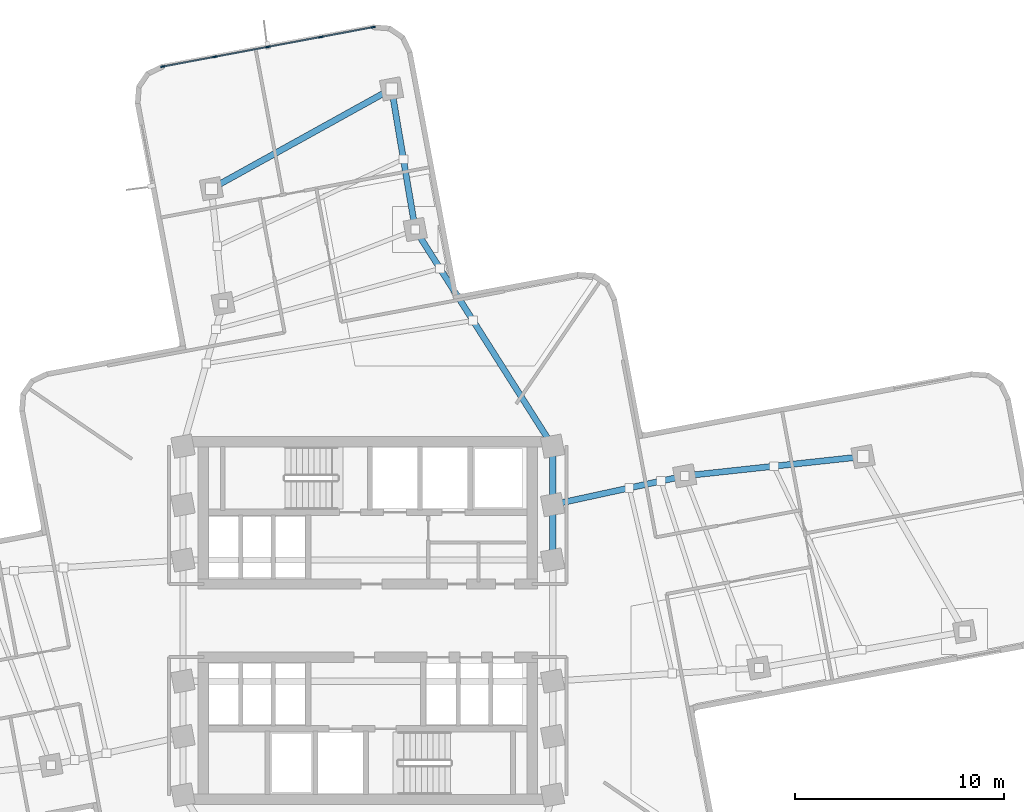
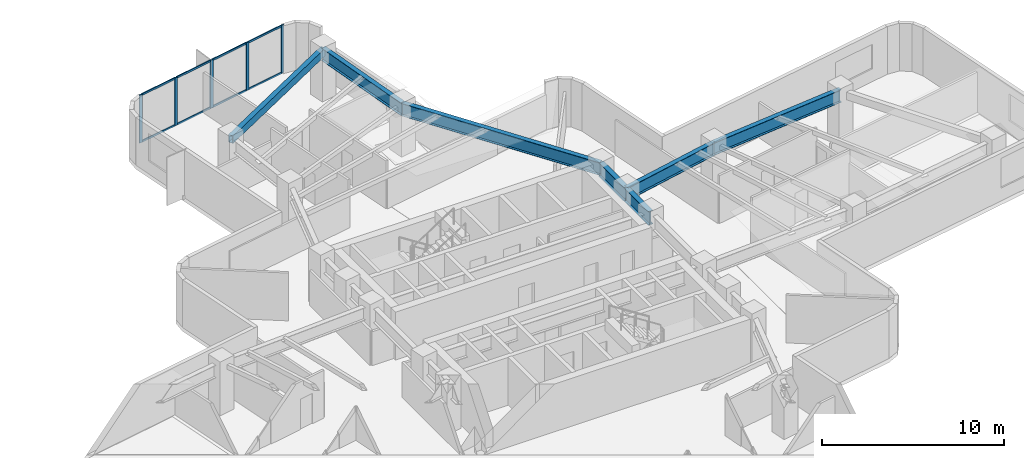
# One storey, part 4 of 12: 13 members, 7 beams, 1 element without a shape of its own.
"""IFC4 building model written with IfcOpenShell, lengths in metres."""

from ifc_helpers import new_model, si_unit, direction, frame, origin, origin_2d, place, context, subcontext, project, spatial, rectangle, hollow_rectangle, i_section, extrude, material, layer, layer_set, material_profile, profile_set, type_object, element, aggregate, save


model = new_model("IFC4")

# Units and contexts
model_context = context("Model", 3, precision=1e-05, world=origin(), true_north=direction((0.0, 1.0)))
body_context = subcontext(model_context, "Body", "Model", "MODEL_VIEW")
ifc_project = project(units=[si_unit("LENGTHUNIT", "METRE"), si_unit("AREAUNIT", "SQUARE_METRE"), si_unit("VOLUMEUNIT", "CUBIC_METRE"), si_unit("PLANEANGLEUNIT", "RADIAN"), si_unit("MASSUNIT", "GRAM", prefix="KILO")], contexts=[model_context])

# Site, building, storey
site_placement = place(None, origin())
site = spatial("IfcSite", under=ifc_project, at=site_placement, CompositionType="ELEMENT")
building_placement = place(site_placement, origin())
building = spatial("IfcBuilding", under=site, at=building_placement, Name="Solmarez Civic Tower", CompositionType="ELEMENT")
storey_placement = place(building_placement, frame((0.0, 0.0, 103.679931640625)))
storey = spatial("IfcBuildingStorey", under=building, at=storey_placement, Name="L27", CompositionType="ELEMENT", Elevation=103.679931640625)

# Beams
ifc_material_1 = material(Name="Steel S355", Category="steel")
ifc_material_profile_1 = material_profile(ifc_material_1, i_section(OverallWidth=0.2919921875, OverallDepth=0.845947265625, WebThickness=0.015380859375, FlangeThickness=0.0244140625, at=origin_2d()), Name="W33X141")
ifc_profile_set_1 = profile_set([ifc_material_profile_1], Name="Steel S355")
beam_type_1 = type_object("IfcBeamType", Name="BM-PR-W33X141", PredefinedType="BEAM", material=ifc_profile_set_1)
beam_1_placement = place(storey_placement, frame((8.85009765625, 5.550048828125, 2.777099609375), z_axis=(0.977113347202, 0.212719314402, 0.0), x_axis=(-0.212719314402, 0.977113347202, 0.0)))
element("IfcBeam", 1, at=beam_1_placement, inside=storey, type_object=beam_type_1, Name="L27 Primary Floor Beam BM-L27-EA-R1B", PredefinedType="BEAM", context=body_context, shape_type="SweptSolid", body=[
    extrude(i_section(OverallWidth=0.2919921875, OverallDepth=0.845947265625, WebThickness=0.015380859375, FlangeThickness=0.0244140625, at=origin_2d()), origin(), (0.0, 0.0, 1.0), 6.47314453125),
])
beam_2_placement = place(storey_placement, frame((15.175048828125, 6.927001953125, 2.777099609375), z_axis=(0.994196782435, 0.107576753045, 0.0), x_axis=(-0.107576753045, 0.994196782435, 0.0)))
element("IfcBeam", 2, at=beam_2_placement, inside=storey, type_object=beam_type_1, Name="L27 Primary Floor Beam BM-L27-EA-R2B", PredefinedType="BEAM", context=body_context, shape_type="SweptSolid", body=[
    extrude(i_section(OverallWidth=0.2919921875, OverallDepth=0.845947265625, WebThickness=0.015380859375, FlangeThickness=0.0244140625, at=origin_2d()), origin(), (0.0, 0.0, 1.0), 8.58984375),
])
beam_3_placement = place(storey_placement, frame((8.85009765625, 8.35009765625, 2.777099609375), z_axis=(-0.535568299099, 0.84449191648, 0.0), x_axis=(-0.84449191648, -0.535568299099, 0.0)))
element("IfcBeam", 3, at=beam_3_placement, inside=storey, type_object=beam_type_1, Name="L27 Primary Floor Beam BM-L27-NA-R1A", PredefinedType="BEAM", context=body_context, shape_type="SweptSolid", body=[
    extrude(i_section(OverallWidth=0.2919921875, OverallDepth=0.845947265625, WebThickness=0.015380859375, FlangeThickness=0.0244140625, at=origin_2d()), origin(), (0.0, 0.0, 1.0), 12.284423828125),
])
beam_4_placement = place(storey_placement, frame((2.27099609375, 18.72412109375, 2.777099609375), z_axis=(-0.165813708215, 0.986157094062, 0.0), x_axis=(-0.986157094062, -0.165813708215, 0.0)))
element("IfcBeam", 4, at=beam_4_placement, inside=storey, type_object=beam_type_1, Name="L27 Primary Floor Beam BM-L27-NA-R2A", PredefinedType="BEAM", context=body_context, shape_type="SweptSolid", body=[
    extrude(i_section(OverallWidth=0.2919921875, OverallDepth=0.845947265625, WebThickness=0.015380859375, FlangeThickness=0.0244140625, at=origin_2d()), origin(), (0.0, 0.0, 1.0), 6.827392578125),
])
ifc_material_profile_2 = material_profile(ifc_material_1, i_section(OverallWidth=0.306884765625, OverallDepth=0.927001953125, WebThickness=0.019287109375, FlangeThickness=0.031982421875, at=origin_2d()), Name="W36X194")
ifc_profile_set_2 = profile_set([ifc_material_profile_2], Name="Steel S355")
beam_type_2 = type_object("IfcBeamType", Name="BM-PR-W36X194", PredefinedType="BEAM", material=ifc_profile_set_2)
beam_5_placement = place(storey_placement, frame((8.85009765625, 2.89990234375, 2.736083984375), z_axis=(0.0, 1.0, 0.0), x_axis=(-1.0, 0.0, 0.0)))
element("IfcBeam", 5, at=beam_5_placement, inside=storey, type_object=beam_type_2, Name="L27 Primary Floor Beam BM-L27-HC7-HC8", PredefinedType="BEAM", context=body_context, shape_type="SweptSolid", body=[
    extrude(i_section(OverallWidth=0.306884765625, OverallDepth=0.927001953125, WebThickness=0.019287109375, FlangeThickness=0.031982421875, at=origin_2d()), origin(), (0.0, 0.0, 1.0), 2.650146484375),
])
beam_6_placement = place(storey_placement, frame((8.85009765625, 5.550048828125, 2.736083984375), z_axis=(0.0, 1.0, 0.0), x_axis=(-1.0, 0.0, 0.0)))
element("IfcBeam", 6, at=beam_6_placement, inside=storey, type_object=beam_type_2, Name="L27 Primary Floor Beam BM-L27-HC8-HC11", PredefinedType="BEAM", context=body_context, shape_type="SweptSolid", body=[
    extrude(i_section(OverallWidth=0.306884765625, OverallDepth=0.927001953125, WebThickness=0.019287109375, FlangeThickness=0.031982421875, at=origin_2d()), origin(), (0.0, 0.0, 1.0), 2.800048828125),
])
ifc_material_profile_3 = material_profile(ifc_material_1, hollow_rectangle(XDim=0.300048828125, YDim=0.5, WallThickness=0.02001953125, at=origin_2d()), Name="HSS500X300X20")
ifc_profile_set_3 = profile_set([ifc_material_profile_3], Name="Steel S355")
beam_type_3 = type_object("IfcBeamType", Name="BM-SP-HSS500X300", PredefinedType="SPANDREL", material=ifc_profile_set_3)
beam_7_placement = place(storey_placement, frame((1.138916015625, 25.45703125, 2.949951171875), z_axis=(-0.874811531682, -0.484463398035, 0.0), x_axis=(0.484463398035, -0.874811531682, 0.0)))
element("IfcBeam", 7, at=beam_7_placement, inside=storey, type_object=beam_type_3, Name="L27 Perimeter Spandrel Beam BM-L27-NA-T2", PredefinedType="SPANDREL", context=body_context, shape_type="SweptSolid", body=[
    extrude(hollow_rectangle(XDim=0.300048828125, YDim=0.5, WallThickness=0.02001953125, at=origin_2d()), origin(), (0.0, 0.0, 1.0), 9.862548828125),
])

# Curtain wall, members
ifc_material_2 = material(Name="Bronze Anodised Aluminium EN AW-6063 T6", Category="aluminium")
ifc_layer = layer(ifc_material_2, 0.2099609375)
ifc_layer_set = layer_set([ifc_layer], Name="Bronze Anodised Aluminium EN AW-6063 T6")
curtain_wall_type = type_object("IfcCurtainWallType", Name="CW-SYS-5", PredefinedType="NOTDEFINED", material=ifc_layer_set)
curtain_wall_placement = place(storey_placement, origin())
curtain_wall = element("IfcCurtainWall", 8, at=curtain_wall_placement, inside=storey, type_object=curtain_wall_type, Name="L27 Stick-Built Curtain Wall 2", PredefinedType="NOTDEFINED")
ifc_material_profile_4 = material_profile(ifc_material_2, rectangle(XDim=0.074951171875, YDim=0.199951171875, at=origin_2d()), Name="CWM-75X200")
ifc_profile_set_4 = profile_set([ifc_material_profile_4], Name="Bronze Anodised Aluminium EN AW-6063 T6")
member_type_1 = type_object("IfcMemberType", Name="CWM-TYPE-1", PredefinedType="MULLION", material=ifc_profile_set_4)
member_1_placement = place(storey_placement, frame((-9.819091796875, 26.52587890625, 0.0), z_axis=(0.0, 0.0, 1.0), x_axis=(-0.184025235598, 0.982921519076, 0.0)))
member_1 = element("IfcMember", 9, at=member_1_placement, type_object=member_type_1, Name="CWS5 mullion 1", PredefinedType="MULLION", context=body_context, shape_type="SweptSolid", body=[
    extrude(rectangle(XDim=0.074951171875, YDim=0.199951171875, at=origin_2d()), origin(), (0.0, 0.0, 1.0), 3.199951171875),
])
member_2_placement = place(storey_placement, frame((-7.3203125, 26.99365234375, 0.0), z_axis=(0.0, 0.0, 1.0), x_axis=(-0.184025235598, 0.982921519076, 0.0)))
member_2 = element("IfcMember", 10, at=member_2_placement, type_object=member_type_1, Name="CWS5 mullion 2", PredefinedType="MULLION", context=body_context, shape_type="SweptSolid", body=[
    extrude(rectangle(XDim=0.074951171875, YDim=0.199951171875, at=origin_2d()), origin(), (0.0, 0.0, 1.0), 3.199951171875),
])
member_3_placement = place(storey_placement, frame((-4.784423828125, 27.468505859375, 0.0), z_axis=(0.0, 0.0, 1.0), x_axis=(-0.184025235598, 0.982921519076, 0.0)))
member_3 = element("IfcMember", 11, at=member_3_placement, type_object=member_type_1, Name="CWS5 mullion 3", PredefinedType="MULLION", context=body_context, shape_type="SweptSolid", body=[
    extrude(rectangle(XDim=0.074951171875, YDim=0.199951171875, at=origin_2d()), origin(), (0.0, 0.0, 1.0), 3.199951171875),
])
member_4_placement = place(storey_placement, frame((-2.248779296875, 27.943359375, 0.0), z_axis=(0.0, 0.0, 1.0), x_axis=(-0.184025235598, 0.982921519076, 0.0)))
member_4 = element("IfcMember", 12, at=member_4_placement, type_object=member_type_1, Name="CWS5 mullion 4", PredefinedType="MULLION", context=body_context, shape_type="SweptSolid", body=[
    extrude(rectangle(XDim=0.074951171875, YDim=0.199951171875, at=origin_2d()), origin(), (0.0, 0.0, 1.0), 3.199951171875),
])
member_5_placement = place(storey_placement, frame((0.250244140625, 28.4111328125, 0.0), z_axis=(0.0, 0.0, 1.0), x_axis=(-0.184025235598, 0.982921519076, 0.0)))
member_5 = element("IfcMember", 13, at=member_5_placement, type_object=member_type_1, Name="CWS5 mullion 5", PredefinedType="MULLION", context=body_context, shape_type="SweptSolid", body=[
    extrude(rectangle(XDim=0.074951171875, YDim=0.199951171875, at=origin_2d()), origin(), (0.0, 0.0, 1.0), 3.199951171875),
])
ifc_material_profile_5 = material_profile(ifc_material_2, rectangle(XDim=0.06494140625, YDim=0.125, at=origin_2d()), Name="CWT-65X125")
ifc_profile_set_5 = profile_set([ifc_material_profile_5], Name="Bronze Anodised Aluminium EN AW-6063 T6")
member_type_2 = type_object("IfcMemberType", Name="CWT-TYPE-2", PredefinedType="USERDEFINED", material=ifc_profile_set_5)
member_6_placement = place(storey_placement, frame((-9.7822265625, 26.53271484375, 0.032470703125), z_axis=(0.982915848695, 0.18405551984, 0.0), x_axis=(-0.18405551984, 0.982915848695, 0.0)))
member_6 = element("IfcMember", 14, at=member_6_placement, type_object=member_type_2, Name="CWS5 transom 1.1", ObjectType="TRANSOM", PredefinedType="USERDEFINED", context=body_context, shape_type="SweptSolid", body=[
    extrude(rectangle(XDim=0.06494140625, YDim=0.125, at=origin_2d()), origin(), (0.0, 0.0, 1.0), 2.46728515625),
])
member_7_placement = place(storey_placement, frame((-9.7822265625, 26.53271484375, 3.16748046875), z_axis=(0.982915848695, 0.18405551984, 0.0), x_axis=(-0.18405551984, 0.982915848695, 0.0)))
member_7 = element("IfcMember", 15, at=member_7_placement, type_object=member_type_2, Name="CWS5 transom 1.2", ObjectType="TRANSOM", PredefinedType="USERDEFINED", context=body_context, shape_type="SweptSolid", body=[
    extrude(rectangle(XDim=0.06494140625, YDim=0.125, at=origin_2d()), origin(), (0.0, 0.0, 1.0), 2.46728515625),
])
member_8_placement = place(storey_placement, frame((-7.283447265625, 27.000732421875, 0.032470703125), z_axis=(0.982924006201, 0.184011950789, 0.0), x_axis=(-0.184011950789, 0.982924006201, 0.0)))
member_8 = element("IfcMember", 16, at=member_8_placement, type_object=member_type_2, Name="CWS5 transom 2.1", ObjectType="TRANSOM", PredefinedType="USERDEFINED", context=body_context, shape_type="SweptSolid", body=[
    extrude(rectangle(XDim=0.06494140625, YDim=0.125, at=origin_2d()), origin(), (0.0, 0.0, 1.0), 2.5048828125),
])
member_9_placement = place(storey_placement, frame((-7.283447265625, 27.000732421875, 3.16748046875), z_axis=(0.982924006201, 0.184011950789, 0.0), x_axis=(-0.184011950789, 0.982924006201, 0.0)))
member_9 = element("IfcMember", 17, at=member_9_placement, type_object=member_type_2, Name="CWS5 transom 2.2", ObjectType="TRANSOM", PredefinedType="USERDEFINED", context=body_context, shape_type="SweptSolid", body=[
    extrude(rectangle(XDim=0.06494140625, YDim=0.125, at=origin_2d()), origin(), (0.0, 0.0, 1.0), 2.5048828125),
])
member_10_placement = place(storey_placement, frame((-4.74755859375, 27.475341796875, 0.032470703125), z_axis=(0.982920705559, 0.184029580731, 0.0), x_axis=(-0.184029580731, 0.982920705559, 0.0)))
member_10 = element("IfcMember", 18, at=member_10_placement, type_object=member_type_2, Name="CWS5 transom 3.1", ObjectType="TRANSOM", PredefinedType="USERDEFINED", context=body_context, shape_type="SweptSolid", body=[
    extrude(rectangle(XDim=0.06494140625, YDim=0.125, at=origin_2d()), origin(), (0.0, 0.0, 1.0), 2.504638671875),
])
member_11_placement = place(storey_placement, frame((-4.74755859375, 27.475341796875, 3.16748046875), z_axis=(0.982920705559, 0.184029580731, 0.0), x_axis=(-0.184029580731, 0.982920705559, 0.0)))
member_11 = element("IfcMember", 19, at=member_11_placement, type_object=member_type_2, Name="CWS5 transom 3.2", ObjectType="TRANSOM", PredefinedType="USERDEFINED", context=body_context, shape_type="SweptSolid", body=[
    extrude(rectangle(XDim=0.06494140625, YDim=0.125, at=origin_2d()), origin(), (0.0, 0.0, 1.0), 2.504638671875),
])
member_12_placement = place(storey_placement, frame((-2.2119140625, 27.9501953125, 0.032470703125), z_axis=(0.982919200435, 0.18403761957, 0.0), x_axis=(-0.18403761957, 0.982919200435, 0.0)))
member_12 = element("IfcMember", 20, at=member_12_placement, type_object=member_type_2, Name="CWS5 transom 4.1", ObjectType="TRANSOM", PredefinedType="USERDEFINED", context=body_context, shape_type="SweptSolid", body=[
    extrude(rectangle(XDim=0.06494140625, YDim=0.125, at=origin_2d()), origin(), (0.0, 0.0, 1.0), 2.467529296875),
])
member_13_placement = place(storey_placement, frame((-2.2119140625, 27.9501953125, 3.16748046875), z_axis=(0.982919200435, 0.18403761957, 0.0), x_axis=(-0.18403761957, 0.982919200435, 0.0)))
member_13 = element("IfcMember", 21, at=member_13_placement, type_object=member_type_2, Name="CWS5 transom 4.2", ObjectType="TRANSOM", PredefinedType="USERDEFINED", context=body_context, shape_type="SweptSolid", body=[
    extrude(rectangle(XDim=0.06494140625, YDim=0.125, at=origin_2d()), origin(), (0.0, 0.0, 1.0), 2.467529296875),
])
aggregate(curtain_wall, [member_1, member_2, member_3, member_4, member_5, member_6, member_7, member_8, member_9, member_10, member_11, member_12, member_13])

save(model, "model.ifc")
